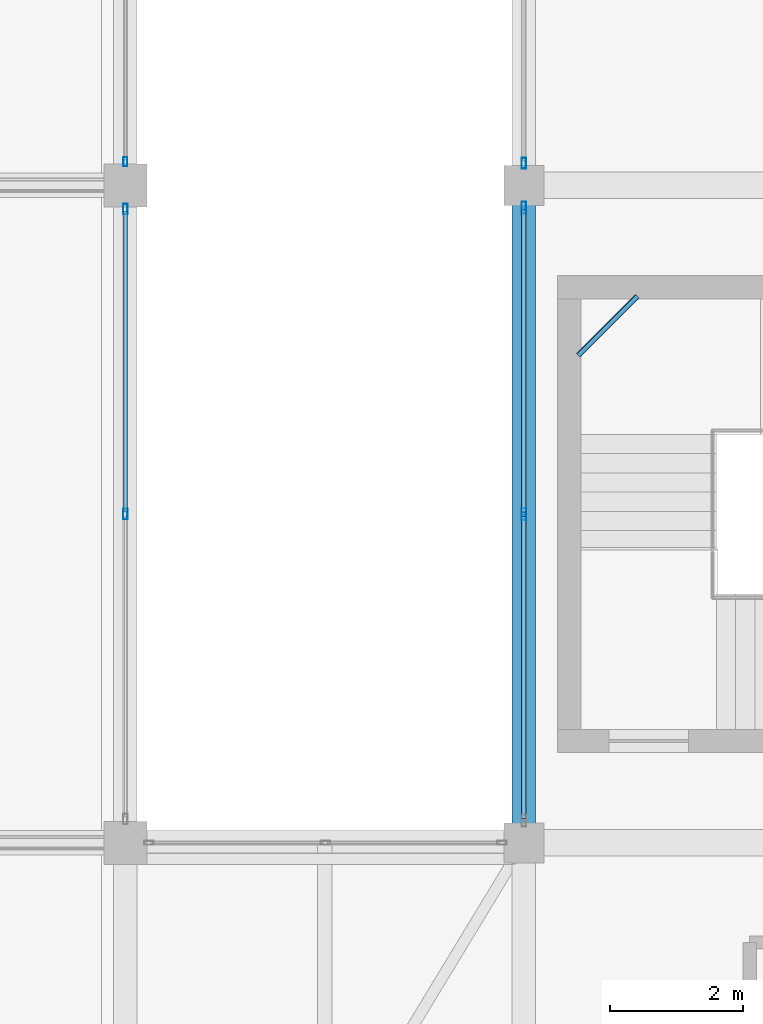
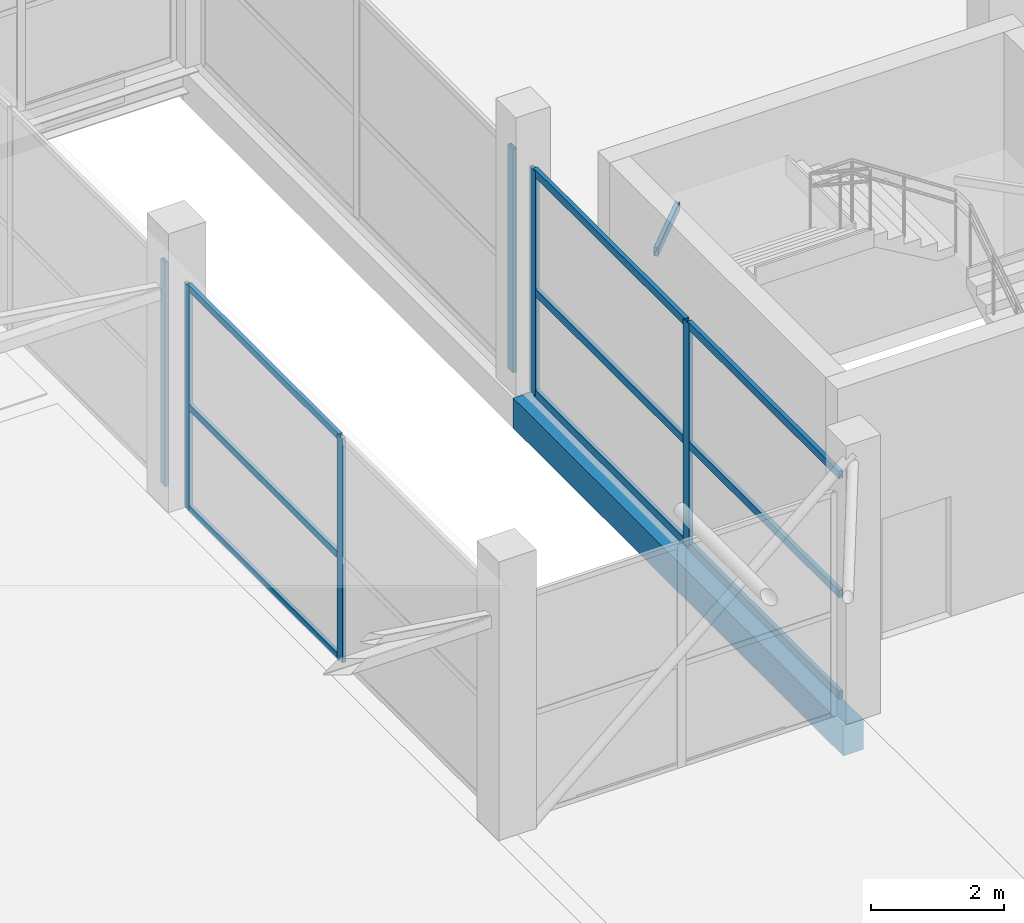
# One storey, part 26 of 58: 15 members, 2 beams, 4 elements without a shape of their own.
"""IFC4 building model written with IfcOpenShell, lengths in metres."""

from ifc_helpers import new_model, si_unit, direction, frame, origin, origin_2d, place, context, subcontext, project, spatial, rectangle, hollow_rectangle, extrude, material, layer, layer_set, material_profile, profile_set, type_object, element, aggregate, save


model = new_model("IFC4")

# Units and contexts
model_context = context("Model", 3, precision=1e-05, world=origin(), true_north=direction((0.0, 1.0)))
body_context = subcontext(model_context, "Body", "Model", "MODEL_VIEW")
ifc_project = project(units=[si_unit("LENGTHUNIT", "METRE"), si_unit("AREAUNIT", "SQUARE_METRE"), si_unit("VOLUMEUNIT", "CUBIC_METRE"), si_unit("PLANEANGLEUNIT", "RADIAN"), si_unit("MASSUNIT", "GRAM", prefix="KILO")], contexts=[model_context])

# Site, building, storey
site_placement = place(None, origin())
site = spatial("IfcSite", under=ifc_project, at=site_placement, CompositionType="ELEMENT")
building_placement = place(site_placement, origin())
building = spatial("IfcBuilding", under=site, at=building_placement, Name="Sillaruma Civic Art Gallery", CompositionType="ELEMENT")
storey_placement = place(building_placement, frame((0.0, 0.0, 52.02001953125)))
storey = spatial("IfcBuildingStorey", under=building, at=storey_placement, Name="L10", CompositionType="ELEMENT", Elevation=52.02001953125)

# Beams
ifc_material_1 = material(Name="Structural Steel ASTM A500 Gr.C", Category="steel")
ifc_material_profile_1 = material_profile(ifc_material_1, hollow_rectangle(XDim=0.080078125, YDim=0.159912109375, WallThickness=0.008056640625, InnerFilletRadius=0.008056640625, OuterFilletRadius=0.01611328125, at=origin_2d()), Name="HSS160x80x8")
ifc_profile_set_1 = profile_set([ifc_material_profile_1], Name="Structural Steel ASTM A500 Gr.C")
beam_type_1 = type_object("IfcBeamType", Name="BM-LND-HSS160", PredefinedType="BEAM", material=ifc_profile_set_1)
beam_1_placement = place(storey_placement, frame((98.820068359375, 56.840087890625, 3.6298828125), z_axis=(0.707106781187, 0.707106781187, 0.0), x_axis=(-0.707106781187, 0.707106781187, 0.0)))
element("IfcBeam", 1, at=beam_1_placement, inside=storey, type_object=beam_type_1, Name="Stair Corner Landing Trimmer Beam (ST-04-L10-3)", PredefinedType="BEAM", context=body_context, shape_type="SweptSolid", body=[
    extrude(hollow_rectangle(XDim=0.080078125, YDim=0.159912109375, WallThickness=0.008056640625, InnerFilletRadius=0.008056640625, OuterFilletRadius=0.01611328125, at=origin_2d()), origin(), (0.0, 0.0, 1.0), 1.258544921875),
])
ifc_material_2 = material(Name="Concrete H35 (35 MPa)", Category="concrete")
ifc_material_profile_2 = material_profile(ifc_material_2, rectangle(XDim=0.35009765625, YDim=0.550048828125, at=origin_2d()), Name="RCB350x550")
ifc_profile_set_2 = profile_set([ifc_material_profile_2], Name="Concrete H35 (35 MPa)")
beam_type_2 = type_object("IfcBeamType", Name="BM-SPANDREL-RCB350x550", PredefinedType="SPANDREL", material=ifc_profile_set_2)
beam_2_placement = place(storey_placement, frame((98.0, 49.5, -0.52490234375), z_axis=(0.0, 1.0, 0.0), x_axis=(-1.0, 0.0, 0.0)))
element("IfcBeam", 2, at=beam_2_placement, inside=storey, type_object=beam_type_2, Name="Beam BS-04 (L09:L:6-7)", PredefinedType="SPANDREL", context=body_context, shape_type="SweptSolid", body=[
    extrude(rectangle(XDim=0.35009765625, YDim=0.550048828125, at=origin_2d()), origin(), (0.0, 0.0, 1.0), 9.89990234375),
])

# Curtain wall, member
ifc_material_3 = material(Name="Thermally Broken Extruded Aluminium 6063-T6", Category="aluminium")
ifc_layer_1 = layer(ifc_material_3, 0.139892578125, Name="Thermally Broken Extruded Aluminium 6063-T6")
ifc_layer_set_1 = layer_set([ifc_layer_1], Name="Thermally Broken Extruded Aluminium 6063-T6")
curtain_wall_type_1 = type_object("IfcCurtainWallType", Name="CW-UNI-71", PredefinedType="NOTDEFINED", material=ifc_layer_set_1)
curtain_wall_1_placement = place(storey_placement, origin())
curtain_wall_1 = element("IfcCurtainWall", 3, at=curtain_wall_1_placement, inside=storey, type_object=curtain_wall_type_1, Name="Unitised Curtain Wall CW-71 (CW-L10-WBE-5)", PredefinedType="NOTDEFINED")
ifc_material_profile_3 = material_profile(ifc_material_3, hollow_rectangle(XDim=0.06005859375, YDim=0.139892578125, WallThickness=0.00341796875, at=origin_2d()), Name="CWM60x140")
ifc_profile_set_3 = profile_set([ifc_material_profile_3], Name="Thermally Broken Extruded Aluminium 6063-T6")
member_type_1 = type_object("IfcMemberType", Name="MEM-MUL-CWM60x140", PredefinedType="MULLION", material=ifc_profile_set_3)
member_1_placement = place(storey_placement, frame((92.0, 59.7548828125, 0.0), z_axis=(0.0, 0.0, 1.0), x_axis=(-1.0, 0.0, 0.0)))
member_1 = element("IfcMember", 4, at=member_1_placement, type_object=member_type_1, Name="CW-71 mullion 1", PredefinedType="MULLION", context=body_context, shape_type="SweptSolid", body=[
    extrude(hollow_rectangle(XDim=0.06005859375, YDim=0.139892578125, WallThickness=0.00341796875, at=origin_2d()), origin(), (0.0, 0.0, 1.0), 4.10009765625),
])
aggregate(curtain_wall_1, [member_1])

# Curtain wall, members
ifc_layer_2 = layer(ifc_material_3, 0.159912109375, Name="Thermally Broken Extruded Aluminium 6063-T6")
ifc_layer_set_2 = layer_set([ifc_layer_2], Name="Thermally Broken Extruded Aluminium 6063-T6")
curtain_wall_type_2 = type_object("IfcCurtainWallType", Name="CW-UNI-69", PredefinedType="NOTDEFINED", material=ifc_layer_set_2)
curtain_wall_2_placement = place(storey_placement, origin())
curtain_wall_2 = element("IfcCurtainWall", 5, at=curtain_wall_2_placement, inside=storey, type_object=curtain_wall_type_2, Name="Unitised Curtain Wall CW-69 (CW-L10-WBE-4)", PredefinedType="NOTDEFINED")
ifc_material_profile_4 = material_profile(ifc_material_3, hollow_rectangle(XDim=0.06494140625, YDim=0.159912109375, WallThickness=0.00390625, at=origin_2d()), Name="CWM65x160")
ifc_profile_set_4 = profile_set([ifc_material_profile_4], Name="Thermally Broken Extruded Aluminium 6063-T6")
member_type_2 = type_object("IfcMemberType", Name="MEM-MUL-CWM65x160", PredefinedType="MULLION", material=ifc_profile_set_4)
member_2_placement = place(storey_placement, frame((92.0, 54.449951171875, 0.0), z_axis=(0.0, 0.0, 1.0), x_axis=(-1.0, 0.0, 0.0)))
member_2 = element("IfcMember", 6, at=member_2_placement, type_object=member_type_2, Name="CW-69 mullion 2", PredefinedType="MULLION", context=body_context, shape_type="SweptSolid", body=[
    extrude(hollow_rectangle(XDim=0.06494140625, YDim=0.159912109375, WallThickness=0.00390625, at=origin_2d()), origin(), (0.0, 0.0, 1.0), 4.10009765625),
])
member_3_placement = place(storey_placement, frame((92.0, 59.04248046875, 0.0), z_axis=(0.0, 0.0, 1.0), x_axis=(-1.0, 0.0, 0.0)))
member_3 = element("IfcMember", 7, at=member_3_placement, type_object=member_type_2, Name="CW-69 mullion 3", PredefinedType="MULLION", context=body_context, shape_type="SweptSolid", body=[
    extrude(hollow_rectangle(XDim=0.06494140625, YDim=0.159912109375, WallThickness=0.00390625, at=origin_2d()), origin(), (0.0, 0.0, 1.0), 4.10009765625),
])

# Curtain wall, member
ifc_layer_3 = layer(ifc_material_3, 0.159912109375, Name="Thermally Broken Extruded Aluminium 6063-T6")
ifc_layer_set_3 = layer_set([ifc_layer_3], Name="Thermally Broken Extruded Aluminium 6063-T6")
curtain_wall_type_3 = type_object("IfcCurtainWallType", Name="CW-UNI-80", PredefinedType="NOTDEFINED", material=ifc_layer_set_3)
curtain_wall_3_placement = place(storey_placement, origin())
curtain_wall_3 = element("IfcCurtainWall", 8, at=curtain_wall_3_placement, inside=storey, type_object=curtain_wall_type_3, Name="Unitised Curtain Wall CW-80 (CW-L10-EBW-5)", PredefinedType="NOTDEFINED")
member_4_placement = place(storey_placement, frame((98.0, 59.732421875, 0.0), z_axis=(0.0, 0.0, 1.0), x_axis=(-1.0, 0.0, 0.0)))
member_4 = element("IfcMember", 9, at=member_4_placement, type_object=member_type_2, Name="CW-80 mullion 1", PredefinedType="MULLION", context=body_context, shape_type="SweptSolid", body=[
    extrude(hollow_rectangle(XDim=0.06494140625, YDim=0.159912109375, WallThickness=0.00390625, at=origin_2d()), origin(), (0.0, 0.0, 1.0), 4.10009765625),
])
aggregate(curtain_wall_3, [member_4])

# Curtain wall, members
ifc_layer_4 = layer(ifc_material_3, 0.179931640625, Name="Thermally Broken Extruded Aluminium 6063-T6")
ifc_layer_set_4 = layer_set([ifc_layer_4], Name="Thermally Broken Extruded Aluminium 6063-T6")
curtain_wall_type_4 = type_object("IfcCurtainWallType", Name="CW-UNI-78", PredefinedType="NOTDEFINED", material=ifc_layer_set_4)
curtain_wall_4_placement = place(storey_placement, origin())
curtain_wall_4 = element("IfcCurtainWall", 10, at=curtain_wall_4_placement, inside=storey, type_object=curtain_wall_type_4, Name="Unitised Curtain Wall CW-78 (CW-L10-EBW-4)", PredefinedType="NOTDEFINED")
ifc_material_profile_5 = material_profile(ifc_material_3, hollow_rectangle(XDim=0.070068359375, YDim=0.179931640625, WallThickness=0.00390625, at=origin_2d()), Name="CWM70x180")
ifc_profile_set_5 = profile_set([ifc_material_profile_5], Name="Thermally Broken Extruded Aluminium 6063-T6")
member_type_3 = type_object("IfcMemberType", Name="MEM-MUL-CWM70x180", PredefinedType="MULLION", material=ifc_profile_set_5)
member_5_placement = place(storey_placement, frame((98.0, 54.449951171875, 0.0), z_axis=(0.0, 0.0, 1.0), x_axis=(-1.0, 0.0, 0.0)))
member_5 = element("IfcMember", 11, at=member_5_placement, type_object=member_type_3, Name="CW-78 mullion 2", PredefinedType="MULLION", context=body_context, shape_type="SweptSolid", body=[
    extrude(hollow_rectangle(XDim=0.070068359375, YDim=0.179931640625, WallThickness=0.00390625, at=origin_2d()), origin(), (0.0, 0.0, 1.0), 4.10009765625),
])
member_6_placement = place(storey_placement, frame((98.0, 59.06494140625, 0.0), z_axis=(0.0, 0.0, 1.0), x_axis=(-1.0, 0.0, 0.0)))
member_6 = element("IfcMember", 12, at=member_6_placement, type_object=member_type_3, Name="CW-78 mullion 3", PredefinedType="MULLION", context=body_context, shape_type="SweptSolid", body=[
    extrude(hollow_rectangle(XDim=0.070068359375, YDim=0.179931640625, WallThickness=0.00390625, at=origin_2d()), origin(), (0.0, 0.0, 1.0), 4.10009765625),
])

# Member
ifc_material_profile_6 = material_profile(ifc_material_3, hollow_rectangle(XDim=0.06494140625, YDim=0.1201171875, WallThickness=0.00341796875, at=origin_2d()), Name="CWT65x120")
ifc_profile_set_6 = profile_set([ifc_material_profile_6], Name="Thermally Broken Extruded Aluminium 6063-T6")
member_type_4 = type_object("IfcMemberType", Name="MEM-TRN-CWT65x120", PredefinedType="USERDEFINED", material=ifc_profile_set_6)
member_7_placement = place(storey_placement, frame((92.0, 54.482421875, 0.032470703125), z_axis=(0.0, 1.0, 0.0), x_axis=(-1.0, 0.0, 0.0)))
member_7 = element("IfcMember", 13, at=member_7_placement, type_object=member_type_4, Name="CW-69 transom 2.1", ObjectType="TRANSOM", PredefinedType="USERDEFINED", context=body_context, shape_type="SweptSolid", body=[
    extrude(hollow_rectangle(XDim=0.06494140625, YDim=0.1201171875, WallThickness=0.00341796875, at=origin_2d()), origin(), (0.0, 0.0, 1.0), 4.527587890625),
])

member_8_placement = place(storey_placement, frame((92.0, 54.482421875, 1.885986328125), z_axis=(0.0, 1.0, 0.0), x_axis=(-1.0, 0.0, 0.0)))
member_8 = element("IfcMember", 14, at=member_8_placement, type_object=member_type_4, Name="CW-69 transom 2.2", ObjectType="TRANSOM", PredefinedType="USERDEFINED", context=body_context, shape_type="SweptSolid", body=[
    extrude(hollow_rectangle(XDim=0.06494140625, YDim=0.1201171875, WallThickness=0.00341796875, at=origin_2d()), origin(), (0.0, 0.0, 1.0), 4.527587890625),
])

member_9_placement = place(storey_placement, frame((92.0, 54.482421875, 4.0673828125), z_axis=(0.0, 1.0, 0.0), x_axis=(-1.0, 0.0, 0.0)))
member_9 = element("IfcMember", 15, at=member_9_placement, type_object=member_type_4, Name="CW-69 transom 2.3", ObjectType="TRANSOM", PredefinedType="USERDEFINED", context=body_context, shape_type="SweptSolid", body=[
    extrude(hollow_rectangle(XDim=0.06494140625, YDim=0.1201171875, WallThickness=0.00341796875, at=origin_2d()), origin(), (0.0, 0.0, 1.0), 4.527587890625),
])

aggregate(curtain_wall_2, [member_2, member_3, member_7, member_8, member_9])

ifc_material_profile_7 = material_profile(ifc_material_3, hollow_rectangle(XDim=0.070068359375, YDim=0.139892578125, WallThickness=0.00390625, at=origin_2d()), Name="CWT70x140")
ifc_profile_set_7 = profile_set([ifc_material_profile_7], Name="Thermally Broken Extruded Aluminium 6063-T6")
member_type_5 = type_object("IfcMemberType", Name="MEM-TRN-CWT70x140", PredefinedType="USERDEFINED", material=ifc_profile_set_7)
member_10_placement = place(storey_placement, frame((98.0, 49.8701171875, 0.034912109375), z_axis=(0.0, 1.0, 0.0), x_axis=(-1.0, 0.0, 0.0)))
member_10 = element("IfcMember", 16, at=member_10_placement, type_object=member_type_5, Name="CW-78 transom 1.1", ObjectType="TRANSOM", PredefinedType="USERDEFINED", context=body_context, shape_type="SweptSolid", body=[
    extrude(hollow_rectangle(XDim=0.070068359375, YDim=0.139892578125, WallThickness=0.00390625, at=origin_2d()), origin(), (0.0, 0.0, 1.0), 4.544921875),
])

member_11_placement = place(storey_placement, frame((98.0, 49.8701171875, 1.885986328125), z_axis=(0.0, 1.0, 0.0), x_axis=(-1.0, 0.0, 0.0)))
member_11 = element("IfcMember", 17, at=member_11_placement, type_object=member_type_5, Name="CW-78 transom 1.2", ObjectType="TRANSOM", PredefinedType="USERDEFINED", context=body_context, shape_type="SweptSolid", body=[
    extrude(hollow_rectangle(XDim=0.070068359375, YDim=0.139892578125, WallThickness=0.00390625, at=origin_2d()), origin(), (0.0, 0.0, 1.0), 4.544921875),
])

member_12_placement = place(storey_placement, frame((98.0, 49.8701171875, 4.06494140625), z_axis=(0.0, 1.0, 0.0), x_axis=(-1.0, 0.0, 0.0)))
member_12 = element("IfcMember", 18, at=member_12_placement, type_object=member_type_5, Name="CW-78 transom 1.3", ObjectType="TRANSOM", PredefinedType="USERDEFINED", context=body_context, shape_type="SweptSolid", body=[
    extrude(hollow_rectangle(XDim=0.070068359375, YDim=0.139892578125, WallThickness=0.00390625, at=origin_2d()), origin(), (0.0, 0.0, 1.0), 4.544921875),
])

member_13_placement = place(storey_placement, frame((98.0, 54.485107421875, 0.034912109375), z_axis=(0.0, 1.0, 0.0), x_axis=(-1.0, 0.0, 0.0)))
member_13 = element("IfcMember", 19, at=member_13_placement, type_object=member_type_5, Name="CW-78 transom 2.1", ObjectType="TRANSOM", PredefinedType="USERDEFINED", context=body_context, shape_type="SweptSolid", body=[
    extrude(hollow_rectangle(XDim=0.070068359375, YDim=0.139892578125, WallThickness=0.00390625, at=origin_2d()), origin(), (0.0, 0.0, 1.0), 4.544921875),
])

member_14_placement = place(storey_placement, frame((98.0, 54.485107421875, 1.885986328125), z_axis=(0.0, 1.0, 0.0), x_axis=(-1.0, 0.0, 0.0)))
member_14 = element("IfcMember", 20, at=member_14_placement, type_object=member_type_5, Name="CW-78 transom 2.2", ObjectType="TRANSOM", PredefinedType="USERDEFINED", context=body_context, shape_type="SweptSolid", body=[
    extrude(hollow_rectangle(XDim=0.070068359375, YDim=0.139892578125, WallThickness=0.00390625, at=origin_2d()), origin(), (0.0, 0.0, 1.0), 4.544921875),
])

member_15_placement = place(storey_placement, frame((98.0, 54.485107421875, 4.06494140625), z_axis=(0.0, 1.0, 0.0), x_axis=(-1.0, 0.0, 0.0)))
member_15 = element("IfcMember", 21, at=member_15_placement, type_object=member_type_5, Name="CW-78 transom 2.3", ObjectType="TRANSOM", PredefinedType="USERDEFINED", context=body_context, shape_type="SweptSolid", body=[
    extrude(hollow_rectangle(XDim=0.070068359375, YDim=0.139892578125, WallThickness=0.00390625, at=origin_2d()), origin(), (0.0, 0.0, 1.0), 4.544921875),
])

aggregate(curtain_wall_4, [member_5, member_6, member_10, member_11, member_12, member_13, member_14, member_15])

save(model, "model.ifc")
